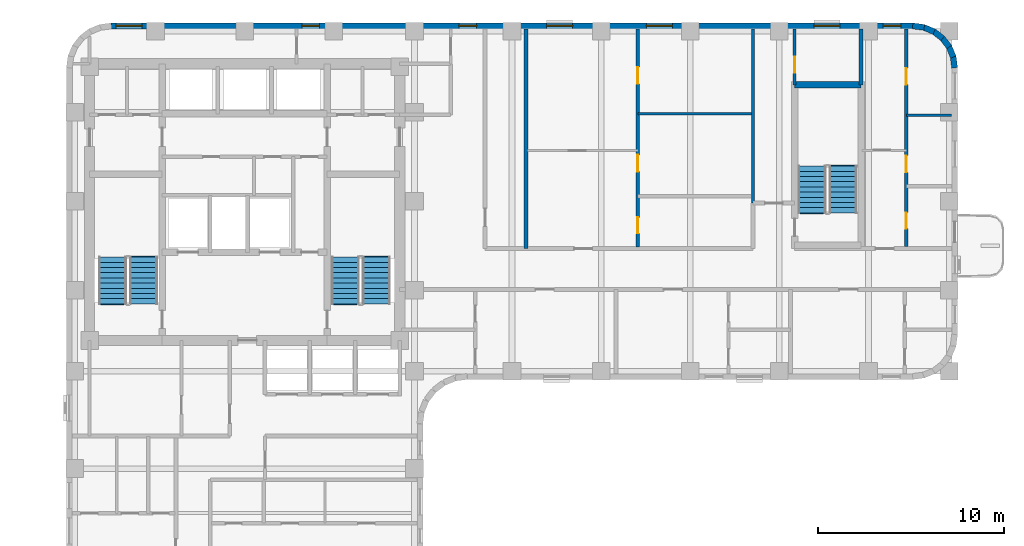
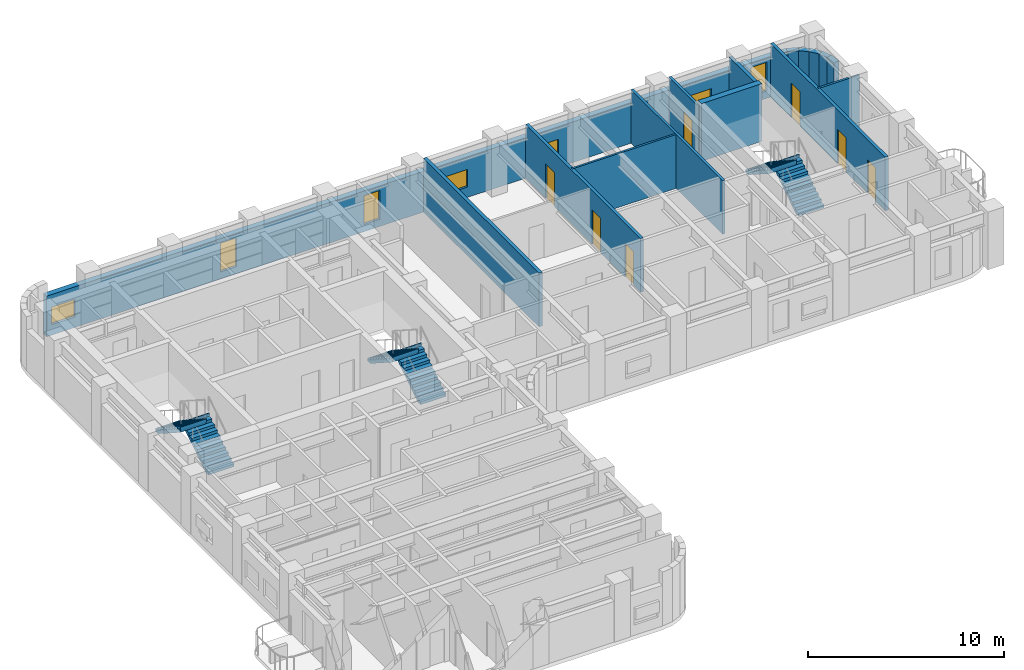
# One storey, part 7 of 10: 16 walls, 7 doors, 7 windows, 6 stair flights, 14 openings, 3 elements without a shape of their own.
"""IFC4 building model written with IfcOpenShell, lengths in metres."""

from ifc_helpers import new_model, si_unit, direction, frame, frame_2d, origin, place, context, subcontext, project, spatial, polyline, rectangle, outline, extrude, material, layer, layer_set, type_object, element, fill, aggregate, save


model = new_model("IFC4")

# Units and contexts
model_context = context("Model", 3, precision=1e-05, world=origin(), true_north=direction((0.0, 1.0)))
body_context = subcontext(model_context, "Body", "Model", "MODEL_VIEW")
ifc_project = project(units=[si_unit("LENGTHUNIT", "METRE"), si_unit("AREAUNIT", "SQUARE_METRE"), si_unit("VOLUMEUNIT", "CUBIC_METRE"), si_unit("PLANEANGLEUNIT", "RADIAN"), si_unit("MASSUNIT", "GRAM", prefix="KILO")], contexts=[model_context])

# Site, building, storey
site_placement = place(None, origin())
site = spatial("IfcSite", under=ifc_project, at=site_placement, CompositionType="ELEMENT")
building_placement = place(site_placement, origin())
building = spatial("IfcBuilding", under=site, at=building_placement, Name="Orvandelia Arch Residences", CompositionType="ELEMENT")
storey_placement = place(building_placement, frame((0.0, 0.0, 121.60009765625)))
storey = spatial("IfcBuildingStorey", under=building, at=storey_placement, Name="L31", CompositionType="ELEMENT", Elevation=121.60009765625)

# Walls
ifc_material_1 = material(Name="Concrete C50/60", Category="concrete")
ifc_layer_1 = layer(ifc_material_1, 0.35009765625, Name="Concrete C50/60", Category="concrete")
ifc_layer_set_1 = layer_set([ifc_layer_1], Name="Concrete C50/60")
wall_type_1 = type_object("IfcWallType", Name="WL-CORE-350", PredefinedType="SHEAR", material=ifc_layer_set_1)
wall_1_placement = place(storey_placement, frame((44.02001953125, 44.659912109375, 0.0), z_axis=(0.0, 0.0, 1.0), x_axis=(1.0, 0.0, 0.0)))
element("IfcWall", 1, at=wall_1_placement, inside=storey, type_object=wall_type_1, Name="East Stair Core Shear Wall L31-N", PredefinedType="SHEAR", context=body_context, shape_type="SweptSolid", body=[
    extrude(rectangle(XDim=3.580078125, YDim=0.35009765625, at=frame_2d((1.7900390625, 0.0))), origin(), (0.0, 0.0, 1.0), 3.599853515625),
])
ifc_material_2 = material(Name="Concrete C40/50", Category="concrete")
ifc_layer_2 = layer(ifc_material_2, 0.199951171875, Name="Concrete C40/50", Category="concrete")
ifc_layer_set_2 = layer_set([ifc_layer_2], Name="Concrete C40/50")
wall_type_2 = type_object("IfcWallType", Name="WL-DEM-200", PredefinedType="SOLIDWALL", material=ifc_layer_set_2)
wall_2_placement = place(storey_placement, frame((29.550048828125, 35.85009765625, 0.0), z_axis=(0.0, 0.0, 1.0), x_axis=(0.0, 1.0, 0.0)))
element("IfcWall", 2, at=wall_2_placement, inside=storey, type_object=wall_type_2, Name="Interior Partition Wall WL-L31-ES-LDE", PredefinedType="SOLIDWALL", context=body_context, shape_type="SweptSolid", body=[
    extrude(rectangle(XDim=11.829833984375, YDim=0.199951171875, at=frame_2d((5.9150390625, 0.0))), origin(), (0.0, 0.0, 1.0), 3.35986328125),
])
wall_3_placement = place(storey_placement, frame((47.60009765625, 44.659912109375, 0.0), z_axis=(0.0, 0.0, 1.0), x_axis=(0.0, 1.0, 0.0)))
element("IfcWall", 3, at=wall_3_placement, inside=storey, type_object=wall_type_2, Name="Interior Partition Wall WL-L31-ES-NST3E", PredefinedType="SOLIDWALL", context=body_context, shape_type="SweptSolid", body=[
    extrude(rectangle(XDim=3.02001953125, YDim=0.199951171875, at=frame_2d((1.510009765625, 0.0))), origin(), (0.0, 0.0, 1.0), 3.35986328125),
])

# Wall, openings, windows
ifc_material_3 = material(Name="Precast concrete C40/50", Category="concrete")
ifc_layer_3 = layer(ifc_material_3, 0.320068359375, Name="Precast concrete C40/50", Category="concrete")
ifc_layer_set_3 = layer_set([ifc_layer_3], Name="Precast concrete C40/50")
wall_type_3 = type_object("IfcWallType", Name="WL-EXT-STONE-320", PredefinedType="STANDARD", material=ifc_layer_set_3)
wall_4_placement = place(storey_placement, frame((7.199951171875, 47.840087890625, 0.0), z_axis=(0.0, 0.0, 1.0), x_axis=(1.0, 0.0, 0.0)))
wall_4 = element("IfcWall", 4, at=wall_4_placement, inside=storey, type_object=wall_type_3, Name="Coral-Limestone Precast Facade Wall L31-007", PredefinedType="STANDARD", context=body_context, shape_type="SweptSolid", body=[
    extrude(rectangle(XDim=43.199951171875, YDim=0.320068359375, at=frame_2d((21.60009765625, 0.0))), origin(), (0.0, 0.0, 1.0), 2.539794921875),
])
opening_1_placement = place(wall_4_placement, frame((28.841064453125, 0.0, 0.64990234375)))
opening_1 = element("IfcOpeningElement", 5, at=opening_1_placement, cuts=wall_4, Name="Opening W10", PredefinedType="OPENING", context=body_context, shape_type="SweptSolid", body=[
    extrude(rectangle(XDim=1.39990234375, YDim=1.10009765625, at=frame_2d((0.699951171875, 0.550048828125))), frame((0.0, 0.169921875, 0.0), z_axis=(0.0, -1.0, 0.0), x_axis=(1.0, 0.0, 0.0)), (0.0, 0.0, 1.0), 0.340087890625),
])
opening_2_placement = place(wall_4_placement, frame((18.739990234375, 0.0, 0.449951171875)))
opening_2 = element("IfcOpeningElement", 6, at=opening_2_placement, cuts=wall_4, Name="Opening W4", PredefinedType="OPENING", context=body_context, shape_type="SweptSolid", body=[
    extrude(rectangle(XDim=0.949951171875, YDim=1.800048828125, at=frame_2d((0.47509765625, 0.89990234375))), frame((0.0, 0.169921875, 0.0), z_axis=(0.0, -1.0, 0.0), x_axis=(1.0, 0.0, 0.0)), (0.0, 0.0, 1.0), 0.340087890625),
])
opening_3_placement = place(wall_4_placement, frame((37.862548828125, 0.0, 0.64990234375)))
opening_3 = element("IfcOpeningElement", 7, at=opening_3_placement, cuts=wall_4, Name="Opening W10", PredefinedType="OPENING", context=body_context, shape_type="SweptSolid", body=[
    extrude(rectangle(XDim=1.39990234375, YDim=1.10009765625, at=frame_2d((0.699951171875, 0.550048828125))), frame((0.0, 0.169921875, 0.0), z_axis=(0.0, -1.0, 0.0), x_axis=(1.0, 0.0, 0.0)), (0.0, 0.0, 1.0), 0.340087890625),
])
opening_4_placement = place(wall_4_placement, frame((0.282470703125, 0.0, 0.64990234375)))
opening_4 = element("IfcOpeningElement", 8, at=opening_4_placement, cuts=wall_4, Name="Opening W10", PredefinedType="OPENING", context=body_context, shape_type="SweptSolid", body=[
    extrude(rectangle(XDim=1.39990234375, YDim=1.10009765625, at=frame_2d((0.699951171875, 0.550048828125))), frame((0.0, 0.169921875, 0.0), z_axis=(0.0, -1.0, 0.0), x_axis=(1.0, 0.0, 0.0)), (0.0, 0.0, 1.0), 0.340087890625),
])
opening_5_placement = place(wall_4_placement, frame((10.277587890625, 0.0, 0.449951171875)))
opening_5 = element("IfcOpeningElement", 9, at=opening_5_placement, cuts=wall_4, Name="Opening W4", PredefinedType="OPENING", context=body_context, shape_type="SweptSolid", body=[
    extrude(rectangle(XDim=0.949951171875, YDim=1.800048828125, at=frame_2d((0.47509765625, 0.89990234375))), frame((0.0, 0.169921875, 0.0), z_axis=(0.0, -1.0, 0.0), x_axis=(1.0, 0.0, 0.0)), (0.0, 0.0, 1.0), 0.340087890625),
])
opening_6_placement = place(wall_4_placement, frame((23.467529296875, 0.0, 0.64990234375)))
opening_6 = element("IfcOpeningElement", 10, at=opening_6_placement, cuts=wall_4, Name="Opening W10", PredefinedType="OPENING", context=body_context, shape_type="SweptSolid", body=[
    extrude(rectangle(XDim=1.39990234375, YDim=1.10009765625, at=frame_2d((0.699951171875, 0.550048828125))), frame((0.0, 0.169921875, 0.0), z_axis=(0.0, -1.0, 0.0), x_axis=(1.0, 0.0, 0.0)), (0.0, 0.0, 1.0), 0.340087890625),
])
opening_7_placement = place(wall_4_placement, frame((41.593994140625, 0.0, 0.449951171875)))
opening_7 = element("IfcOpeningElement", 11, at=opening_7_placement, cuts=wall_4, Name="Opening W4", PredefinedType="OPENING", context=body_context, shape_type="SweptSolid", body=[
    extrude(rectangle(XDim=0.949951171875, YDim=1.800048828125, at=frame_2d((0.47509765625, 0.89990234375))), frame((0.0, 0.169921875, 0.0), z_axis=(0.0, -1.0, 0.0), x_axis=(1.0, 0.0, 0.0)), (0.0, 0.0, 1.0), 0.340087890625),
])
ifc_material_4 = material(Name="Tempered Low-E Insulated Glazing", Category="glass")
window_type_1 = type_object("IfcWindowType", Name="WIN-CLR-1400x1100", PartitioningType="SINGLE_PANEL", PredefinedType="WINDOW", material=ifc_material_4)
window_1_placement = place(opening_1_placement, origin())
window_1 = element("IfcWindow", 12, at=window_1_placement, inside=storey, type_object=window_type_1, Name="Recessed Punched Window L31-001", OverallHeight=1.10009765625, OverallWidth=1.39990234375, PartitioningType="SINGLE_PANEL", PredefinedType="WINDOW", context=body_context, shape_type="SweptSolid", body=[
    extrude(rectangle(XDim=1.39990234375, YDim=1.10009765625, at=frame_2d((0.699951171875, 0.550048828125))), frame((0.0, 0.030029296875, 0.0), z_axis=(0.0, -1.0, 0.0), x_axis=(1.0, 0.0, 0.0)), (0.0, 0.0, 1.0), 0.06005859375),
])
fill(opening_1, window_1)
window_2_placement = place(opening_3_placement, origin())
window_2 = element("IfcWindow", 13, at=window_2_placement, inside=storey, type_object=window_type_1, Name="Recessed Punched Window L31-003", OverallHeight=1.10009765625, OverallWidth=1.39990234375, PartitioningType="SINGLE_PANEL", PredefinedType="WINDOW", context=body_context, shape_type="SweptSolid", body=[
    extrude(rectangle(XDim=1.39990234375, YDim=1.10009765625, at=frame_2d((0.699951171875, 0.550048828125))), frame((0.0, 0.030029296875, 0.0), z_axis=(0.0, -1.0, 0.0), x_axis=(1.0, 0.0, 0.0)), (0.0, 0.0, 1.0), 0.06005859375),
])
fill(opening_3, window_2)
window_3_placement = place(opening_4_placement, origin())
window_3 = element("IfcWindow", 14, at=window_3_placement, inside=storey, type_object=window_type_1, Name="Recessed Punched Window L31-004", OverallHeight=1.10009765625, OverallWidth=1.39990234375, PartitioningType="SINGLE_PANEL", PredefinedType="WINDOW", context=body_context, shape_type="SweptSolid", body=[
    extrude(rectangle(XDim=1.39990234375, YDim=1.10009765625, at=frame_2d((0.699951171875, 0.550048828125))), frame((0.0, 0.030029296875, 0.0), z_axis=(0.0, -1.0, 0.0), x_axis=(1.0, 0.0, 0.0)), (0.0, 0.0, 1.0), 0.06005859375),
])
fill(opening_4, window_3)
window_4_placement = place(opening_6_placement, origin())
window_4 = element("IfcWindow", 15, at=window_4_placement, inside=storey, type_object=window_type_1, Name="Recessed Punched Window L31-006", OverallHeight=1.10009765625, OverallWidth=1.39990234375, PartitioningType="SINGLE_PANEL", PredefinedType="WINDOW", context=body_context, shape_type="SweptSolid", body=[
    extrude(rectangle(XDim=1.39990234375, YDim=1.10009765625, at=frame_2d((0.699951171875, 0.550048828125))), frame((0.0, 0.030029296875, 0.0), z_axis=(0.0, -1.0, 0.0), x_axis=(1.0, 0.0, 0.0)), (0.0, 0.0, 1.0), 0.06005859375),
])
fill(opening_6, window_4)
window_type_2 = type_object("IfcWindowType", Name="WIN-RES-0950x1800", PartitioningType="SINGLE_PANEL", PredefinedType="WINDOW", material=ifc_material_4)
window_5_placement = place(opening_2_placement, origin())
window_5 = element("IfcWindow", 16, at=window_5_placement, inside=storey, type_object=window_type_2, Name="Recessed Punched Window L31-002", OverallHeight=1.800048828125, OverallWidth=0.949951171875, PartitioningType="SINGLE_PANEL", PredefinedType="WINDOW", context=body_context, shape_type="SweptSolid", body=[
    extrude(rectangle(XDim=0.949951171875, YDim=1.800048828125, at=frame_2d((0.47509765625, 0.89990234375))), frame((0.0, 0.030029296875, 0.0), z_axis=(0.0, -1.0, 0.0), x_axis=(1.0, 0.0, 0.0)), (0.0, 0.0, 1.0), 0.06005859375),
])
fill(opening_2, window_5)
window_6_placement = place(opening_5_placement, origin())
window_6 = element("IfcWindow", 17, at=window_6_placement, inside=storey, type_object=window_type_2, Name="Recessed Punched Window L31-005", OverallHeight=1.800048828125, OverallWidth=0.949951171875, PartitioningType="SINGLE_PANEL", PredefinedType="WINDOW", context=body_context, shape_type="SweptSolid", body=[
    extrude(rectangle(XDim=0.949951171875, YDim=1.800048828125, at=frame_2d((0.47509765625, 0.89990234375))), frame((0.0, 0.030029296875, 0.0), z_axis=(0.0, -1.0, 0.0), x_axis=(1.0, 0.0, 0.0)), (0.0, 0.0, 1.0), 0.06005859375),
])
fill(opening_5, window_6)
window_7_placement = place(opening_7_placement, origin())
window_7 = element("IfcWindow", 18, at=window_7_placement, inside=storey, type_object=window_type_2, Name="Recessed Punched Window L31-007", OverallHeight=1.800048828125, OverallWidth=0.949951171875, PartitioningType="SINGLE_PANEL", PredefinedType="WINDOW", context=body_context, shape_type="SweptSolid", body=[
    extrude(rectangle(XDim=0.949951171875, YDim=1.800048828125, at=frame_2d((0.47509765625, 0.89990234375))), frame((0.0, 0.030029296875, 0.0), z_axis=(0.0, -1.0, 0.0), x_axis=(1.0, 0.0, 0.0)), (0.0, 0.0, 1.0), 0.06005859375),
])
fill(opening_7, window_7)

# Walls
for number, where, z_axis, x_axis, name in (
    (19, (50.379150390625, 47.84130859375, 0.0), (0.0, 0.0, 1.0), (0.9914410257, -0.130555323746, 0.0), "Coral-Limestone Precast Facade Wall L31-008"),
    (20, (50.9599609375, 47.7705078125, 0.0), (0.0, 0.0, 1.0), (0.92389335771, -0.382650053678, 0.0), "Coral-Limestone Precast Facade Wall L31-009"),
    (21, (51.502685546875, 47.551513671875, 0.0), (0.0, 0.0, 1.0), (0.793405610854, -0.608693302629, 0.0), "Coral-Limestone Precast Facade Wall L31-010"),
    (22, (51.97021484375, 47.19970703125, 0.0), (0.0, 0.0, 1.0), (0.608693302629, -0.793405610854, 0.0), "Coral-Limestone Precast Facade Wall L31-011"),
    (23, (52.330810546875, 46.73876953125, 0.0), (0.0, 0.0, 1.0), (0.382317370307, -0.924031075431, 0.0), "Coral-Limestone Precast Facade Wall L31-012"),
    (24, (52.5595703125, 46.2001953125, 0.0), (0.0, 0.0, 1.0), (0.130555323746, -0.9914410257, 0.0), "Coral-Limestone Precast Facade Wall L31-013"),
):
    element("IfcWall", number, at=place(storey_placement, frame(where, z_axis=z_axis, x_axis=x_axis)), inside=storey, type_object=wall_type_3, Name=name, PredefinedType="STANDARD", context=body_context, shape_type="SweptSolid", body=[
        extrude(rectangle(XDim=0.62646484375, YDim=0.320068359375, at=frame_2d((0.313232421875, 0.0))), origin(), (0.0, 0.0, 1.0), 2.539794921875),
    ])
ifc_material_5 = material(Name="Lightweight Gypsum Stud Partition")
ifc_layer_4 = layer(ifc_material_5, 0.1201171875, Name="Lightweight Gypsum Stud Partition")
ifc_layer_set_4 = layer_set([ifc_layer_4], Name="Lightweight Gypsum Stud Partition")
wall_type_4 = type_object("IfcWallType", Name="WL-PART-120", PredefinedType="PARTITIONING", material=ifc_layer_set_4)
wall_5_placement = place(storey_placement, frame((35.576904296875, 43.10693359375, 0.0), z_axis=(0.0, 0.0, 1.0), x_axis=(1.0, 0.0, 0.0)))
element("IfcWall", 25, at=wall_5_placement, inside=storey, type_object=wall_type_4, Name="Interior Partition Wall WL-L31-U08-H2", PredefinedType="PARTITIONING", context=body_context, shape_type="SweptSolid", body=[
    extrude(rectangle(XDim=6.123046875, YDim=0.1201171875, at=frame_2d((3.0615234375, 0.0))), origin(), (0.0, 0.0, 1.0), 3.35986328125),
])
wall_6_placement = place(storey_placement, frame((50.04296875, 43.02392578125, 0.0), z_axis=(0.0, 0.0, 1.0), x_axis=(1.0, 0.0, 0.0)))
element("IfcWall", 26, at=wall_6_placement, inside=storey, type_object=wall_type_4, Name="Interior Partition Wall WL-L31-U09-H2", PredefinedType="PARTITIONING", context=body_context, shape_type="SweptSolid", body=[
    extrude(rectangle(XDim=2.43701171875, YDim=0.1201171875, at=frame_2d((1.218505859375, 0.0))), origin(), (0.0, 0.0, 1.0), 3.35986328125),
])
ifc_material_6 = material(Name="Acoustic Gypsum Stud Partition")
ifc_layer_5 = layer(ifc_material_6, 0.14990234375, Name="Acoustic Gypsum Stud Partition")
ifc_layer_set_5 = layer_set([ifc_layer_5], Name="Acoustic Gypsum Stud Partition")
wall_type_5 = type_object("IfcWallType", Name="WL-PART-150", PredefinedType="PARTITIONING", material=ifc_layer_set_5)
wall_7_placement = place(storey_placement, frame((41.780029296875, 38.300048828125, 0.0), z_axis=(0.0, 0.0, 1.0), x_axis=(0.0, 1.0, 0.0)))
element("IfcWall", 27, at=wall_7_placement, inside=storey, type_object=wall_type_5, Name="Interior Partition Wall WL-L31-ES-SPKW", PredefinedType="PARTITIONING", context=body_context, shape_type="SweptSolid", body=[
    extrude(rectangle(XDim=9.3798828125, YDim=0.14990234375, at=frame_2d((4.68994140625, 0.0))), origin(), (0.0, 0.0, 1.0), 3.35986328125),
])

# Wall, opening, door
wall_8_placement = place(storey_placement, frame((44.02001953125, 44.659912109375, 0.0), z_axis=(0.0, 0.0, 1.0), x_axis=(0.0, 1.0, 0.0)))
wall_8 = element("IfcWall", 28, at=wall_8_placement, inside=storey, type_object=wall_type_5, Name="Interior Partition Wall WL-L31-ES-NST3W", PredefinedType="PARTITIONING", context=body_context, shape_type="SweptSolid", body=[
    extrude(rectangle(XDim=3.02001953125, YDim=0.14990234375, at=frame_2d((1.510009765625, 0.0))), origin(), (0.0, 0.0, 1.0), 3.35986328125),
])
opening_8_placement = place(wall_8_placement, frame((0.64990234375, 0.0, 0.0)))
opening_8 = element("IfcOpeningElement", 29, at=opening_8_placement, cuts=wall_8, Name="Opening D5", PredefinedType="OPENING", context=body_context, shape_type="SweptSolid", body=[
    extrude(rectangle(XDim=0.8798828125, YDim=2.10009765625, at=frame_2d((0.43994140625, 1.050048828125))), frame((0.0, 0.0849609375, 0.0), z_axis=(0.0, -1.0, 0.0), x_axis=(1.0, 0.0, 0.0)), (0.0, 0.0, 1.0), 0.169921875),
])
ifc_material_7 = material(Name="Painted Galvanised Steel Service Door", Category="steel")
door_type_1 = type_object("IfcDoorType", Name="DR-SRV-880", OperationType="NOTDEFINED", PredefinedType="DOOR", material=ifc_material_7)
door_1_placement = place(opening_8_placement, origin())
door_1 = element("IfcDoor", 30, at=door_1_placement, inside=storey, type_object=door_type_1, Name="DR-L31-ESNST3", OperationType="SINGLE_SWING_RIGHT", OverallHeight=2.10009765625, OverallWidth=0.8798828125, PredefinedType="DOOR", context=body_context, shape_type="SweptSolid", body=[
    extrude(rectangle(XDim=0.8798828125, YDim=2.10009765625, at=frame_2d((0.43994140625, 1.050048828125))), frame((0.0, 0.02490234375, 0.0), z_axis=(0.0, -1.0, 0.0), x_axis=(1.0, 0.0, 0.0)), (0.0, 0.0, 1.0), 0.050048828125),
])
fill(opening_8, door_1)

# Wall, openings, doors
ifc_material_8 = material(Name="Moisture-Resistant Plumbing Wall")
ifc_layer_6 = layer(ifc_material_8, 0.179931640625, Name="Moisture-Resistant Plumbing Wall")
ifc_layer_set_6 = layer_set([ifc_layer_6], Name="Moisture-Resistant Plumbing Wall")
wall_type_6 = type_object("IfcWallType", Name="WL-WET-180", PredefinedType="PLUMBINGWALL", material=ifc_layer_set_6)
wall_9_placement = place(storey_placement, frame((35.576904296875, 35.929931640625, 0.0), z_axis=(0.0, 0.0, 1.0), x_axis=(0.0, 1.0, 0.0)))
wall_9 = element("IfcWall", 31, at=wall_9_placement, inside=storey, type_object=wall_type_6, Name="Interior Partition Wall WL-L31-U08-VT", PredefinedType="PLUMBINGWALL", context=body_context, shape_type="SweptSolid", body=[
    extrude(rectangle(XDim=11.75, YDim=0.179931640625, at=frame_2d((5.875, 0.0))), origin(), (0.0, 0.0, 1.0), 3.35986328125),
])
opening_9_placement = place(wall_9_placement, frame((0.7333984375, 0.0, 0.0)))
opening_9 = element("IfcOpeningElement", 32, at=opening_9_placement, cuts=wall_9, Name="Opening D4", PredefinedType="OPENING", context=body_context, shape_type="SweptSolid", body=[
    extrude(rectangle(XDim=0.860107421875, YDim=2.10009765625, at=frame_2d((0.43017578125, 1.050048828125))), frame((0.0, 0.10009765625, 0.0), z_axis=(0.0, -1.0, 0.0), x_axis=(1.0, 0.0, 0.0)), (0.0, 0.0, 1.0), 0.199951171875),
])
opening_10_placement = place(wall_9_placement, frame((4.063720703125, 0.0, 0.0)))
opening_10 = element("IfcOpeningElement", 33, at=opening_10_placement, cuts=wall_9, Name="Opening D3", PredefinedType="OPENING", context=body_context, shape_type="SweptSolid", body=[
    extrude(rectangle(XDim=0.89990234375, YDim=2.14990234375, at=frame_2d((0.449951171875, 1.074951171875))), frame((0.0, 0.10009765625, 0.0), z_axis=(0.0, -1.0, 0.0), x_axis=(1.0, 0.0, 0.0)), (0.0, 0.0, 1.0), 0.199951171875),
])
opening_11_placement = place(wall_9_placement, frame((8.789306640625, 0.0, 0.0)))
opening_11 = element("IfcOpeningElement", 34, at=opening_11_placement, cuts=wall_9, Name="Opening D3", PredefinedType="OPENING", context=body_context, shape_type="SweptSolid", body=[
    extrude(rectangle(XDim=0.89990234375, YDim=2.14990234375, at=frame_2d((0.449951171875, 1.074951171875))), frame((0.0, 0.10009765625, 0.0), z_axis=(0.0, -1.0, 0.0), x_axis=(1.0, 0.0, 0.0)), (0.0, 0.0, 1.0), 0.199951171875),
])
ifc_material_9 = material(Name="Engineered Timber Flush Door", Category="wood")
door_type_2 = type_object("IfcDoorType", Name="DR-INT-900", OperationType="NOTDEFINED", PredefinedType="DOOR", material=ifc_material_9)
door_2_placement = place(opening_10_placement, origin())
door_2 = element("IfcDoor", 35, at=door_2_placement, inside=storey, type_object=door_type_2, Name="DR-L31-U08-KIT", OperationType="SINGLE_SWING_RIGHT", OverallHeight=2.14990234375, OverallWidth=0.89990234375, PredefinedType="DOOR", context=body_context, shape_type="SweptSolid", body=[
    extrude(rectangle(XDim=0.89990234375, YDim=2.14990234375, at=frame_2d((0.449951171875, 1.074951171875))), frame((0.0, 0.02490234375, 0.0), z_axis=(0.0, -1.0, 0.0), x_axis=(1.0, 0.0, 0.0)), (0.0, 0.0, 1.0), 0.050048828125),
])
fill(opening_10, door_2)
door_3_placement = place(opening_11_placement, origin())
door_3 = element("IfcDoor", 36, at=door_3_placement, inside=storey, type_object=door_type_2, Name="DR-L31-U08-BD1", OperationType="SINGLE_SWING_LEFT", OverallHeight=2.14990234375, OverallWidth=0.89990234375, PredefinedType="DOOR", context=body_context, shape_type="SweptSolid", body=[
    extrude(rectangle(XDim=0.89990234375, YDim=2.14990234375, at=frame_2d((0.449951171875, 1.074951171875))), frame((0.0, 0.02490234375, 0.0), z_axis=(0.0, -1.0, 0.0), x_axis=(1.0, 0.0, 0.0)), (0.0, 0.0, 1.0), 0.050048828125),
])
fill(opening_11, door_3)
ifc_material_10 = material(Name="Moisture-Sealed Timber Bathroom Door", Category="wood")
door_type_3 = type_object("IfcDoorType", Name="DR-WET-900", OperationType="NOTDEFINED", PredefinedType="DOOR", material=ifc_material_10)
door_4_placement = place(opening_9_placement, origin())
door_4 = element("IfcDoor", 37, at=door_4_placement, inside=storey, type_object=door_type_3, Name="DR-L31-U08-BTH", OperationType="SINGLE_SWING_LEFT", OverallHeight=2.10009765625, OverallWidth=0.860107421875, PredefinedType="DOOR", context=body_context, shape_type="SweptSolid", body=[
    extrude(rectangle(XDim=0.860107421875, YDim=2.10009765625, at=frame_2d((0.43017578125, 1.050048828125))), frame((0.0, 0.02490234375, 0.0), z_axis=(0.0, -1.0, 0.0), x_axis=(1.0, 0.0, 0.0)), (0.0, 0.0, 1.0), 0.050048828125),
])
fill(opening_9, door_4)

wall_10_placement = place(storey_placement, frame((50.04296875, 35.949951171875, 0.0), z_axis=(0.0, 0.0, 1.0), x_axis=(0.0, 1.0, 0.0)))
wall_10 = element("IfcWall", 38, at=wall_10_placement, inside=storey, type_object=wall_type_6, Name="Interior Partition Wall WL-L31-U09-VT", PredefinedType="PLUMBINGWALL", context=body_context, shape_type="SweptSolid", body=[
    extrude(rectangle(XDim=11.72998046875, YDim=0.179931640625, at=frame_2d((5.864990234375, 0.0))), origin(), (0.0, 0.0, 1.0), 3.35986328125),
])
opening_12_placement = place(wall_10_placement, frame((0.96923828125, 0.0, 0.0)))
opening_12 = element("IfcOpeningElement", 39, at=opening_12_placement, cuts=wall_10, Name="Opening D4", PredefinedType="OPENING", context=body_context, shape_type="SweptSolid", body=[
    extrude(rectangle(XDim=0.860107421875, YDim=2.10009765625, at=frame_2d((0.43017578125, 1.050048828125))), frame((0.0, 0.10009765625, 0.0), z_axis=(0.0, -1.0, 0.0), x_axis=(1.0, 0.0, 0.0)), (0.0, 0.0, 1.0), 0.199951171875),
])
opening_13_placement = place(wall_10_placement, frame((4.005615234375, 0.0, 0.0)))
opening_13 = element("IfcOpeningElement", 40, at=opening_13_placement, cuts=wall_10, Name="Opening D3", PredefinedType="OPENING", context=body_context, shape_type="SweptSolid", body=[
    extrude(rectangle(XDim=0.89990234375, YDim=2.14990234375, at=frame_2d((0.449951171875, 1.074951171875))), frame((0.0, 0.10009765625, 0.0), z_axis=(0.0, -1.0, 0.0), x_axis=(1.0, 0.0, 0.0)), (0.0, 0.0, 1.0), 0.199951171875),
])
opening_14_placement = place(wall_10_placement, frame((8.7236328125, 0.0, 0.0)))
opening_14 = element("IfcOpeningElement", 41, at=opening_14_placement, cuts=wall_10, Name="Opening D3", PredefinedType="OPENING", context=body_context, shape_type="SweptSolid", body=[
    extrude(rectangle(XDim=0.89990234375, YDim=2.14990234375, at=frame_2d((0.449951171875, 1.074951171875))), frame((0.0, 0.10009765625, 0.0), z_axis=(0.0, -1.0, 0.0), x_axis=(1.0, 0.0, 0.0)), (0.0, 0.0, 1.0), 0.199951171875),
])
door_5_placement = place(opening_13_placement, origin())
door_5 = element("IfcDoor", 42, at=door_5_placement, inside=storey, type_object=door_type_2, Name="DR-L31-U09-KIT", OperationType="SINGLE_SWING_LEFT", OverallHeight=2.14990234375, OverallWidth=0.89990234375, PredefinedType="DOOR", context=body_context, shape_type="SweptSolid", body=[
    extrude(rectangle(XDim=0.89990234375, YDim=2.14990234375, at=frame_2d((0.449951171875, 1.074951171875))), frame((0.0, 0.02490234375, 0.0), z_axis=(0.0, -1.0, 0.0), x_axis=(1.0, 0.0, 0.0)), (0.0, 0.0, 1.0), 0.050048828125),
])
fill(opening_13, door_5)
door_6_placement = place(opening_14_placement, origin())
door_6 = element("IfcDoor", 43, at=door_6_placement, inside=storey, type_object=door_type_2, Name="DR-L31-U09-BD1", OperationType="SINGLE_SWING_RIGHT", OverallHeight=2.14990234375, OverallWidth=0.89990234375, PredefinedType="DOOR", context=body_context, shape_type="SweptSolid", body=[
    extrude(rectangle(XDim=0.89990234375, YDim=2.14990234375, at=frame_2d((0.449951171875, 1.074951171875))), frame((0.0, 0.02490234375, 0.0), z_axis=(0.0, -1.0, 0.0), x_axis=(1.0, 0.0, 0.0)), (0.0, 0.0, 1.0), 0.050048828125),
])
fill(opening_14, door_6)
door_7_placement = place(opening_12_placement, origin())
door_7 = element("IfcDoor", 44, at=door_7_placement, inside=storey, type_object=door_type_3, Name="DR-L31-U09-BTH", OperationType="SINGLE_SWING_RIGHT", OverallHeight=2.10009765625, OverallWidth=0.860107421875, PredefinedType="DOOR", context=body_context, shape_type="SweptSolid", body=[
    extrude(rectangle(XDim=0.860107421875, YDim=2.10009765625, at=frame_2d((0.43017578125, 1.050048828125))), frame((0.0, 0.02490234375, 0.0), z_axis=(0.0, -1.0, 0.0), x_axis=(1.0, 0.0, 0.0)), (0.0, 0.0, 1.0), 0.050048828125),
])
fill(opening_12, door_7)

# Stair, stair flights
stair_type = type_object("IfcStairType", Name="STAIR-RC-DOGLEG", PredefinedType="HALF_TURN_STAIR", material=ifc_material_2)
stair_1_placement = place(storey_placement, origin())
stair_1 = element("IfcStair", 45, at=stair_1_placement, inside=storey, type_object=stair_type, Name="L31 Protected Exit Stair ST-1", PredefinedType="HALF_TURN_STAIR")
stair_flight_type = type_object("IfcStairFlightType", Name="STFLT-RC-1520", PredefinedType="STRAIGHT", material=ifc_material_2)
stair_flight_1_placement = place(storey_placement, frame((8.9599609375, 32.8701171875, 0.0), z_axis=(0.0, 0.0, 1.0), x_axis=(0.0, 1.0, 0.0)))
stair_flight_1 = element("IfcStairFlight", 46, at=stair_flight_1_placement, type_object=stair_flight_type, Name="ST-1 flight 1", NumberOfRisers=10, NumberOfTreads=9, PredefinedType="STRAIGHT", RiserHeight=0.18, TreadLength=0.28, context=body_context, shape_type="SweptSolid", body=[
    extrude(outline(polyline([(0.0, 0.0), (0.0, 0.179931640625), (0.280029296875, 0.179931640625), (0.280029296875, 0.360107421875), (0.56005859375, 0.360107421875), (0.56005859375, 0.5400390625), (0.840087890625, 0.5400390625), (0.840087890625, 0.719970703125), (1.1201171875, 0.719970703125), (1.1201171875, 0.89990234375), (1.39990234375, 0.89990234375), (1.39990234375, 1.080078125), (1.679931640625, 1.080078125), (1.679931640625, 1.260009765625), (1.9599609375, 1.260009765625), (1.9599609375, 1.43994140625), (2.239990234375, 1.43994140625), (2.239990234375, 1.6201171875), (2.52001953125, 1.6201171875), (2.52001953125, 1.800048828125), (2.580078125, 1.800048828125), (2.580078125, 1.6201171875), (2.52001953125, 1.44189453125), (0.277099609375, 0.0), (0.0, 0.0)])), frame((0.0, 0.760009765625, 0.0), z_axis=(0.0, -1.0, 0.0), x_axis=(1.0, 0.0, 0.0)), (0.0, 0.0, 1.0), 1.52001953125),
])
stair_flight_2_placement = place(storey_placement, frame((7.2900390625, 35.389892578125, 1.7998046875), z_axis=(0.0, 0.0, 1.0), x_axis=(0.0, -1.0, 0.0)))
stair_flight_2 = element("IfcStairFlight", 47, at=stair_flight_2_placement, type_object=stair_flight_type, Name="ST-1 flight 2", NumberOfRisers=10, NumberOfTreads=9, PredefinedType="STRAIGHT", RiserHeight=0.18, TreadLength=0.28, context=body_context, shape_type="SweptSolid", body=[
    extrude(outline(polyline([(0.0, 0.0), (0.0, 0.179931640625), (0.280029296875, 0.179931640625), (0.280029296875, 0.360107421875), (0.56005859375, 0.360107421875), (0.56005859375, 0.5400390625), (0.840087890625, 0.5400390625), (0.840087890625, 0.719970703125), (1.1201171875, 0.719970703125), (1.1201171875, 0.89990234375), (1.39990234375, 0.89990234375), (1.39990234375, 1.080078125), (1.679931640625, 1.080078125), (1.679931640625, 1.260009765625), (1.9599609375, 1.260009765625), (1.9599609375, 1.43994140625), (2.239990234375, 1.43994140625), (2.239990234375, 1.6201171875), (2.52001953125, 1.6201171875), (2.52001953125, 1.800048828125), (2.580078125, 1.800048828125), (2.580078125, 1.6201171875), (2.52001953125, 1.44189453125), (0.277099609375, 0.0), (0.0, 0.0)])), frame((0.0, 0.760009765625, 0.0), z_axis=(0.0, -1.0, 0.0), x_axis=(1.0, 0.0, 0.0)), (0.0, 0.0, 1.0), 1.52001953125),
])
aggregate(stair_1, [stair_flight_1, stair_flight_2])

stair_2_placement = place(storey_placement, origin())
stair_2 = element("IfcStair", 48, at=stair_2_placement, inside=storey, type_object=stair_type, Name="L31 Protected Exit Stair ST-2", PredefinedType="HALF_TURN_STAIR")
stair_flight_3_placement = place(storey_placement, frame((21.489990234375, 32.8701171875, 0.0), z_axis=(0.0, 0.0, 1.0), x_axis=(0.0, 1.0, 0.0)))
stair_flight_3 = element("IfcStairFlight", 49, at=stair_flight_3_placement, type_object=stair_flight_type, Name="ST-2 flight 1", NumberOfRisers=10, NumberOfTreads=9, PredefinedType="STRAIGHT", RiserHeight=0.18, TreadLength=0.28, context=body_context, shape_type="SweptSolid", body=[
    extrude(outline(polyline([(0.0, 0.0), (0.0, 0.179931640625), (0.280029296875, 0.179931640625), (0.280029296875, 0.360107421875), (0.56005859375, 0.360107421875), (0.56005859375, 0.5400390625), (0.840087890625, 0.5400390625), (0.840087890625, 0.719970703125), (1.1201171875, 0.719970703125), (1.1201171875, 0.89990234375), (1.39990234375, 0.89990234375), (1.39990234375, 1.080078125), (1.679931640625, 1.080078125), (1.679931640625, 1.260009765625), (1.9599609375, 1.260009765625), (1.9599609375, 1.43994140625), (2.239990234375, 1.43994140625), (2.239990234375, 1.6201171875), (2.52001953125, 1.6201171875), (2.52001953125, 1.800048828125), (2.580078125, 1.800048828125), (2.580078125, 1.6201171875), (2.52001953125, 1.44189453125), (0.277099609375, 0.0), (0.0, 0.0)])), frame((0.0, 0.760009765625, 0.0), z_axis=(0.0, -1.0, 0.0), x_axis=(1.0, 0.0, 0.0)), (0.0, 0.0, 1.0), 1.52001953125),
])
stair_flight_4_placement = place(storey_placement, frame((19.820068359375, 35.389892578125, 1.7998046875), z_axis=(0.0, 0.0, 1.0), x_axis=(0.0, -1.0, 0.0)))
stair_flight_4 = element("IfcStairFlight", 50, at=stair_flight_4_placement, type_object=stair_flight_type, Name="ST-2 flight 2", NumberOfRisers=10, NumberOfTreads=9, PredefinedType="STRAIGHT", RiserHeight=0.18, TreadLength=0.28, context=body_context, shape_type="SweptSolid", body=[
    extrude(outline(polyline([(0.0, 0.0), (0.0, 0.179931640625), (0.280029296875, 0.179931640625), (0.280029296875, 0.360107421875), (0.56005859375, 0.360107421875), (0.56005859375, 0.5400390625), (0.840087890625, 0.5400390625), (0.840087890625, 0.719970703125), (1.1201171875, 0.719970703125), (1.1201171875, 0.89990234375), (1.39990234375, 0.89990234375), (1.39990234375, 1.080078125), (1.679931640625, 1.080078125), (1.679931640625, 1.260009765625), (1.9599609375, 1.260009765625), (1.9599609375, 1.43994140625), (2.239990234375, 1.43994140625), (2.239990234375, 1.6201171875), (2.52001953125, 1.6201171875), (2.52001953125, 1.800048828125), (2.580078125, 1.800048828125), (2.580078125, 1.6201171875), (2.52001953125, 1.44189453125), (0.277099609375, 0.0), (0.0, 0.0)])), frame((0.0, 0.760009765625, 0.0), z_axis=(0.0, -1.0, 0.0), x_axis=(1.0, 0.0, 0.0)), (0.0, 0.0, 1.0), 1.52001953125),
])
aggregate(stair_2, [stair_flight_3, stair_flight_4])

stair_3_placement = place(storey_placement, origin())
stair_3 = element("IfcStair", 51, at=stair_3_placement, inside=storey, type_object=stair_type, Name="L31 East Wing Exit Stair ST-3", PredefinedType="HALF_TURN_STAIR")
stair_flight_5_placement = place(storey_placement, frame((46.639892578125, 37.77001953125, 0.0), z_axis=(0.0, 0.0, 1.0), x_axis=(0.0, 1.0, 0.0)))
stair_flight_5 = element("IfcStairFlight", 52, at=stair_flight_5_placement, type_object=stair_flight_type, Name="ST-3 flight 1", NumberOfRisers=10, NumberOfTreads=9, PredefinedType="STRAIGHT", RiserHeight=0.18, TreadLength=0.28, context=body_context, shape_type="SweptSolid", body=[
    extrude(outline(polyline([(0.0, 0.0), (0.0, 0.179931640625), (0.280029296875, 0.179931640625), (0.280029296875, 0.360107421875), (0.56005859375, 0.360107421875), (0.56005859375, 0.5400390625), (0.840087890625, 0.5400390625), (0.840087890625, 0.719970703125), (1.1201171875, 0.719970703125), (1.1201171875, 0.89990234375), (1.39990234375, 0.89990234375), (1.39990234375, 1.080078125), (1.679931640625, 1.080078125), (1.679931640625, 1.260009765625), (1.9599609375, 1.260009765625), (1.9599609375, 1.43994140625), (2.239990234375, 1.43994140625), (2.239990234375, 1.6201171875), (2.52001953125, 1.6201171875), (2.52001953125, 1.800048828125), (2.580078125, 1.800048828125), (2.580078125, 1.6201171875), (2.52001953125, 1.44189453125), (0.277099609375, 0.0), (0.0, 0.0)])), frame((0.0, 0.760009765625, 0.0), z_axis=(0.0, -1.0, 0.0), x_axis=(1.0, 0.0, 0.0)), (0.0, 0.0, 1.0), 1.52001953125),
])
stair_flight_6_placement = place(storey_placement, frame((44.969970703125, 40.2900390625, 1.7998046875), z_axis=(0.0, 0.0, 1.0), x_axis=(0.0, -1.0, 0.0)))
stair_flight_6 = element("IfcStairFlight", 53, at=stair_flight_6_placement, type_object=stair_flight_type, Name="ST-3 flight 2", NumberOfRisers=10, NumberOfTreads=9, PredefinedType="STRAIGHT", RiserHeight=0.18, TreadLength=0.28, context=body_context, shape_type="SweptSolid", body=[
    extrude(outline(polyline([(0.0, 0.0), (0.0, 0.179931640625), (0.280029296875, 0.179931640625), (0.280029296875, 0.360107421875), (0.56005859375, 0.360107421875), (0.56005859375, 0.5400390625), (0.840087890625, 0.5400390625), (0.840087890625, 0.719970703125), (1.1201171875, 0.719970703125), (1.1201171875, 0.89990234375), (1.39990234375, 0.89990234375), (1.39990234375, 1.080078125), (1.679931640625, 1.080078125), (1.679931640625, 1.260009765625), (1.9599609375, 1.260009765625), (1.9599609375, 1.43994140625), (2.239990234375, 1.43994140625), (2.239990234375, 1.6201171875), (2.52001953125, 1.6201171875), (2.52001953125, 1.800048828125), (2.580078125, 1.800048828125), (2.580078125, 1.6201171875), (2.52001953125, 1.44189453125), (0.277099609375, 0.0), (0.0, 0.0)])), frame((0.0, 0.760009765625, 0.0), z_axis=(0.0, -1.0, 0.0), x_axis=(1.0, 0.0, 0.0)), (0.0, 0.0, 1.0), 1.52001953125),
])
aggregate(stair_3, [stair_flight_5, stair_flight_6])

save(model, "model.ifc")
